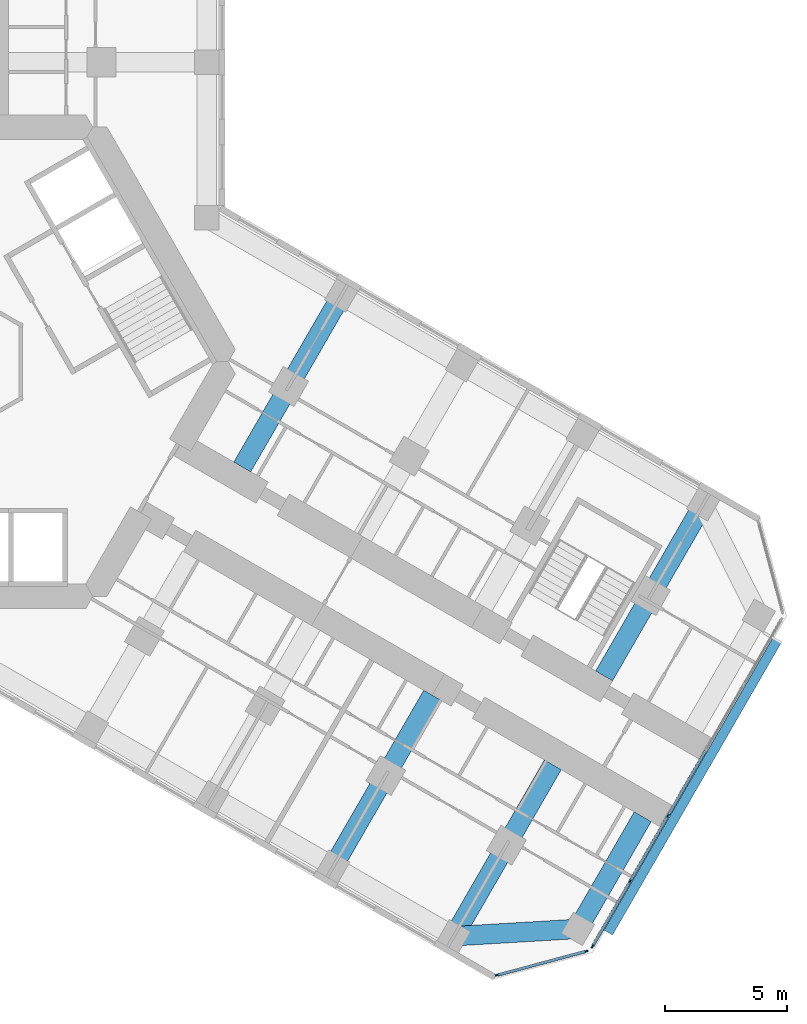
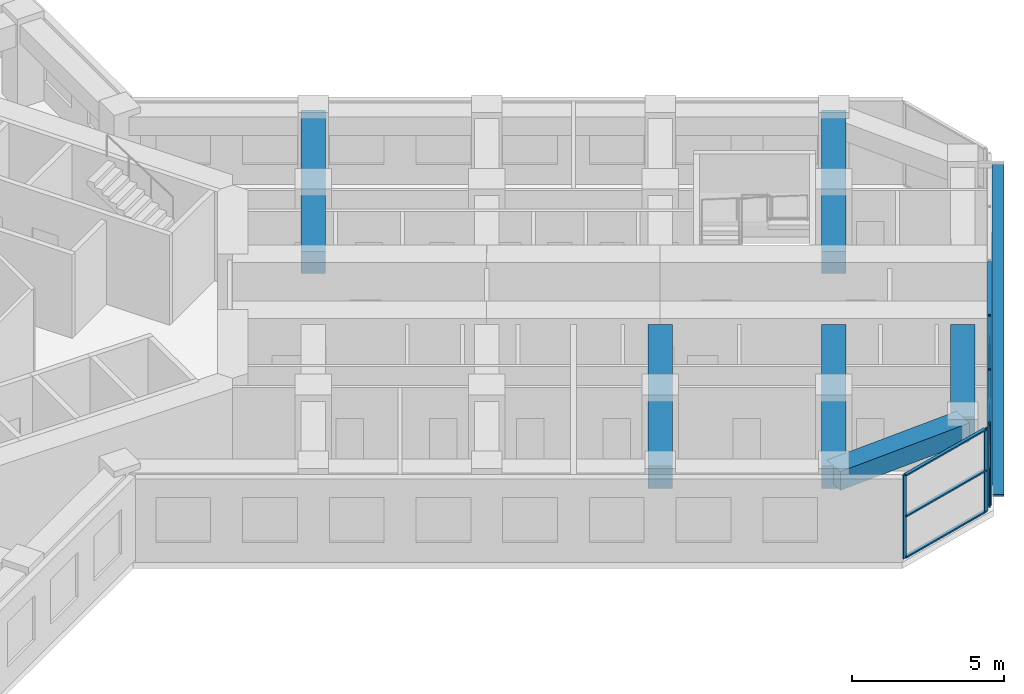
# One storey, part 5 of 21: 15 members, 6 beams, 2 elements without a shape of their own.
"""IFC4 building model written with IfcOpenShell, lengths in metres."""

from ifc_helpers import new_model, si_unit, direction, frame, origin, origin_2d, place, context, subcontext, project, spatial, rectangle, extrude, material, material_profile, profile_set, type_object, element, aggregate, save


model = new_model("IFC4")

# Units and contexts
model_context = context("Model", 3, precision=1e-05, world=origin(), true_north=direction((0.0, 1.0)))
body_context = subcontext(model_context, "Body", "Model", "MODEL_VIEW")
ifc_project = project(units=[si_unit("LENGTHUNIT", "METRE"), si_unit("AREAUNIT", "SQUARE_METRE"), si_unit("VOLUMEUNIT", "CUBIC_METRE"), si_unit("PLANEANGLEUNIT", "RADIAN"), si_unit("MASSUNIT", "GRAM", prefix="KILO")], contexts=[model_context])

# Site, building, storey
site_placement = place(None, origin())
site = spatial("IfcSite", under=ifc_project, at=site_placement, CompositionType="ELEMENT")
building_placement = place(site_placement, origin())
building = spatial("IfcBuilding", under=site, at=building_placement, Name="Kosmar Iwan School Tower", CompositionType="ELEMENT")
storey_placement = place(building_placement, frame((0.0, 0.0, 53.800048828125)))
storey = spatial("IfcBuildingStorey", under=building, at=storey_placement, Name="L12", CompositionType="ELEMENT", Elevation=53.800048828125)

# Member
ifc_material_1 = material(Name="Black anodised aluminium", Category="aluminium")
ifc_material_profile_1 = material_profile(ifc_material_1, rectangle(XDim=0.10009765625, YDim=0.39990234375, at=origin_2d()), Name="FIN 100x400")
ifc_profile_set_1 = profile_set([ifc_material_profile_1], Name="Black anodised aluminium")
member_type_1 = type_object("IfcMemberType", Name="Diagonal fin 100x400", PredefinedType="USERDEFINED", material=ifc_profile_set_1)
member_1_placement = place(storey_placement, frame((26.645263671875, -23.34912109375, -0.150146484375), z_axis=(0.483793446988, 0.837970316603, 0.25248692866), x_axis=(-0.126241714543, -0.218661104574, 0.96760030532)))
element("IfcMember", 1, at=member_1_placement, inside=storey, type_object=member_type_1, Name="Diagonal fin L12-F03", ObjectType="FIN", PredefinedType="USERDEFINED", context=body_context, shape_type="SweptSolid", body=[
    extrude(rectangle(XDim=0.10009765625, YDim=0.39990234375, at=origin_2d()), origin(), (0.0, 0.0, 1.0), 14.258544921875),
])

# Curtain wall, members
ifc_material_2 = material(Name="Dark glass in black aluminium frame", Category="aluminium")
curtain_wall_type_1 = type_object("IfcCurtainWallType", Name="Chamfer curtain wall dark glass", PredefinedType="USERDEFINED", material=ifc_material_2)
curtain_wall_1_placement = place(storey_placement, origin())
curtain_wall_1 = element("IfcCurtainWall", 2, at=curtain_wall_1_placement, inside=storey, type_object=curtain_wall_type_1, Name="Curtain wall L12-F02", ObjectType="FACETED CURTAIN WALL", PredefinedType="USERDEFINED")
ifc_material_3 = material(Name="Black anodised aluminium", Category="aluminium")
ifc_material_profile_2 = material_profile(ifc_material_3, rectangle(XDim=0.06005859375, YDim=0.159912109375, at=origin_2d()), Name="MULLION 60x160")
ifc_profile_set_2 = profile_set([ifc_material_profile_2], Name="Black anodised aluminium")
member_type_2 = type_object("IfcMemberType", Name="Mullion 60x160", PredefinedType="MULLION", material=ifc_profile_set_2)
member_2_placement = place(storey_placement, frame((22.0830078125, -25.102294921875, 0.0), z_axis=(0.0, 0.0, 1.0), x_axis=(-0.258818861462, 0.965925875495, 0.0)))
member_2 = element("IfcMember", 3, at=member_2_placement, type_object=member_type_2, Name="CW2 mullion 1", PredefinedType="MULLION", context=body_context, shape_type="SweptSolid", body=[
    extrude(rectangle(XDim=0.06005859375, YDim=0.159912109375, at=origin_2d()), origin(), (0.0, 0.0, 1.0), 3.349853515625),
])
member_3_placement = place(storey_placement, frame((25.733154296875, -24.124267578125, 0.0), z_axis=(0.0, 0.0, 1.0), x_axis=(-0.258818861462, 0.965925875495, 0.0)))
member_3 = element("IfcMember", 4, at=member_3_placement, type_object=member_type_2, Name="CW2 mullion 2", PredefinedType="MULLION", context=body_context, shape_type="SweptSolid", body=[
    extrude(rectangle(XDim=0.06005859375, YDim=0.159912109375, at=origin_2d()), origin(), (0.0, 0.0, 1.0), 3.349853515625),
])

ifc_material_4 = material(Name="Dark glass in black aluminium frame", Category="aluminium")
curtain_wall_type_2 = type_object("IfcCurtainWallType", Name="Tower curtain wall dark glass", PredefinedType="USERDEFINED", material=ifc_material_4)
curtain_wall_2_placement = place(storey_placement, origin())
curtain_wall_2 = element("IfcCurtainWall", 5, at=curtain_wall_2_placement, inside=storey, type_object=curtain_wall_type_2, Name="Curtain wall L12-F03", ObjectType="UNITISED CURTAIN WALL", PredefinedType="USERDEFINED")
member_4_placement = place(storey_placement, frame((25.9970703125, -23.921630859375, 0.0), z_axis=(0.0, 0.0, 1.0), x_axis=(-0.866025405329, 0.499999997325, 0.0)))
member_4 = element("IfcMember", 6, at=member_4_placement, type_object=member_type_2, Name="CW1 mullion 1", PredefinedType="MULLION", context=body_context, shape_type="SweptSolid", body=[
    extrude(rectangle(XDim=0.06005859375, YDim=0.159912109375, at=origin_2d()), origin(), (0.0, 0.0, 1.0), 3.349853515625),
])
member_5_placement = place(storey_placement, frame((27.53173828125, -21.263671875, 0.0), z_axis=(0.0, 0.0, 1.0), x_axis=(-0.866025405329, 0.499999997325, 0.0)))
member_5 = element("IfcMember", 7, at=member_5_placement, type_object=member_type_2, Name="CW1 mullion 2", PredefinedType="MULLION", context=body_context, shape_type="SweptSolid", body=[
    extrude(rectangle(XDim=0.06005859375, YDim=0.159912109375, at=origin_2d()), origin(), (0.0, 0.0, 1.0), 3.349853515625),
])
member_6_placement = place(storey_placement, frame((29.081298828125, -18.57958984375, 0.0), z_axis=(0.0, 0.0, 1.0), x_axis=(-0.866025405329, 0.499999997325, 0.0)))
member_6 = element("IfcMember", 8, at=member_6_placement, type_object=member_type_2, Name="CW1 mullion 3", PredefinedType="MULLION", context=body_context, shape_type="SweptSolid", body=[
    extrude(rectangle(XDim=0.06005859375, YDim=0.159912109375, at=origin_2d()), origin(), (0.0, 0.0, 1.0), 3.349853515625),
])

# Beams
ifc_material_5 = material(Name="Concrete C50/60", Category="concrete")
ifc_material_profile_3 = material_profile(ifc_material_5, rectangle(XDim=0.800048828125, YDim=0.75, at=origin_2d()), Name="RC 800x750")
ifc_profile_set_3 = profile_set([ifc_material_profile_3], Name="Concrete C50/60")
beam_type_1 = type_object("IfcBeamType", Name="RC tip beam 800x750", PredefinedType="BEAM", material=ifc_profile_set_3)
beam_1_placement = place(storey_placement, frame((20.31787109375, -23.508544921875, 2.974853515625), z_axis=(0.998260616478, 0.058955420358, 0.0), x_axis=(-0.058955420358, 0.998260616478, 0.0)))
element("IfcBeam", 9, at=beam_1_placement, inside=storey, type_object=beam_type_1, Name="Tip beam CR", PredefinedType="BEAM", context=body_context, shape_type="SweptSolid", body=[
    extrude(rectangle(XDim=0.800048828125, YDim=0.75, at=origin_2d()), origin(), (0.0, 0.0, 1.0), 5.08935546875),
])
beam_2_placement = place(storey_placement, frame((25.3984375, -23.20849609375, 2.974853515625), z_axis=(0.499993606316, 0.866029095148, 0.0), x_axis=(-0.866029095148, 0.499993606316, 0.0)))
element("IfcBeam", 10, at=beam_2_placement, inside=storey, type_object=beam_type_1, Name="Tip beam CR to corridor wall", PredefinedType="BEAM", context=body_context, shape_type="SweptSolid", body=[
    extrude(rectangle(XDim=0.800048828125, YDim=0.75, at=origin_2d()), origin(), (0.0, 0.0, 1.0), 5.2998046875),
])
ifc_material_6 = material(Name="Concrete C50/60", Category="concrete")
ifc_material_profile_4 = material_profile(ifc_material_6, rectangle(XDim=0.800048828125, YDim=0.89990234375, at=origin_2d()), Name="RC 800x900")
ifc_profile_set_4 = profile_set([ifc_material_profile_4], Name="Concrete C50/60")
beam_type_2 = type_object("IfcBeamType", Name="RC transverse beam 800x900", PredefinedType="BEAM", material=ifc_profile_set_4)
for number, where, z_axis, x_axis, name in (
    (11, (15.708740234375, 2.70849609375, 2.89990234375), (-0.499999880539, -0.866025472755, 0.0), (0.866025472755, -0.499999880539, 0.0), "Transverse beam CL1"),
    (12, (30.517822265625, -5.841552734375, 2.89990234375), (-0.499999880539, -0.866025472755, 0.0), (0.866025472755, -0.499999880539, 0.0), "Transverse beam CL4"),
    (13, (15.381591796875, -20.658447265625, 2.89990234375), (0.499977274689, 0.866038523851, 0.0), (-0.866038523851, 0.499977274689, 0.0), "Transverse beam CR3"),
    (14, (20.31787109375, -23.508544921875, 2.89990234375), (0.499999880539, 0.866025472755, 0.0), (-0.866025472755, 0.499999880539, 0.0), "Transverse beam CR4"),
):
    element("IfcBeam", number, at=place(storey_placement, frame(where, z_axis=z_axis, x_axis=x_axis)), inside=storey, type_object=beam_type_2, Name=name, PredefinedType="BEAM", context=body_context, shape_type="SweptSolid", body=[
        extrude(rectangle(XDim=0.800048828125, YDim=0.89990234375, at=origin_2d()), origin(), (0.0, 0.0, 1.0), 8.10009765625),
    ])

# Member
ifc_material_7 = material(Name="Black anodised aluminium", Category="aluminium")
ifc_material_profile_5 = material_profile(ifc_material_7, rectangle(XDim=0.1201171875, YDim=0.06005859375, at=origin_2d()), Name="TRANSOM 60x120")
ifc_profile_set_5 = profile_set([ifc_material_profile_5], Name="Black anodised aluminium")
member_type_3 = type_object("IfcMemberType", Name="Transom 60x120", PredefinedType="USERDEFINED", material=ifc_profile_set_5)
member_7_placement = place(storey_placement, frame((22.11181640625, -25.094482421875, 0.030029296875), z_axis=(0.965923731726, 0.258826861991, 0.0), x_axis=(-0.258826861991, 0.965923731726, 0.0)))
member_7 = element("IfcMember", 15, at=member_7_placement, type_object=member_type_3, Name="CW2 transom 1.1", ObjectType="TRANSOM", PredefinedType="USERDEFINED", context=body_context, shape_type="SweptSolid", body=[
    extrude(rectangle(XDim=0.1201171875, YDim=0.06005859375, at=origin_2d()), origin(), (0.0, 0.0, 1.0), 3.71923828125),
])

member_8_placement = place(storey_placement, frame((22.11181640625, -25.094482421875, 1.675048828125), z_axis=(0.965923731726, 0.258826861991, 0.0), x_axis=(-0.258826861991, 0.965923731726, 0.0)))
member_8 = element("IfcMember", 16, at=member_8_placement, type_object=member_type_3, Name="CW2 transom 1.2", ObjectType="TRANSOM", PredefinedType="USERDEFINED", context=body_context, shape_type="SweptSolid", body=[
    extrude(rectangle(XDim=0.1201171875, YDim=0.06005859375, at=origin_2d()), origin(), (0.0, 0.0, 1.0), 3.71923828125),
])

member_9_placement = place(storey_placement, frame((22.11181640625, -25.094482421875, 3.320068359375), z_axis=(0.965923731726, 0.258826861991, 0.0), x_axis=(-0.258826861991, 0.965923731726, 0.0)))
member_9 = element("IfcMember", 17, at=member_9_placement, type_object=member_type_3, Name="CW2 transom 1.3", ObjectType="TRANSOM", PredefinedType="USERDEFINED", context=body_context, shape_type="SweptSolid", body=[
    extrude(rectangle(XDim=0.1201171875, YDim=0.06005859375, at=origin_2d()), origin(), (0.0, 0.0, 1.0), 3.71923828125),
])

aggregate(curtain_wall_1, [member_2, member_3, member_7, member_8, member_9])

member_10_placement = place(storey_placement, frame((26.01220703125, -23.895751953125, 0.030029296875), z_axis=(0.499986971506, 0.866032925658, 0.0), x_axis=(-0.866032925658, 0.499986971506, 0.0)))
member_10 = element("IfcMember", 18, at=member_10_placement, type_object=member_type_3, Name="CW1 transom 1.1", ObjectType="TRANSOM", PredefinedType="USERDEFINED", context=body_context, shape_type="SweptSolid", body=[
    extrude(rectangle(XDim=0.1201171875, YDim=0.06005859375, at=origin_2d()), origin(), (0.0, 0.0, 1.0), 3.00927734375),
])

member_11_placement = place(storey_placement, frame((26.01220703125, -23.895751953125, 3.320068359375), z_axis=(0.499986971506, 0.866032925658, 0.0), x_axis=(-0.866032925658, 0.499986971506, 0.0)))
member_11 = element("IfcMember", 19, at=member_11_placement, type_object=member_type_3, Name="CW1 transom 1.2", ObjectType="TRANSOM", PredefinedType="USERDEFINED", context=body_context, shape_type="SweptSolid", body=[
    extrude(rectangle(XDim=0.1201171875, YDim=0.06005859375, at=origin_2d()), origin(), (0.0, 0.0, 1.0), 3.00927734375),
])

member_12_placement = place(storey_placement, frame((27.546875, -21.237548828125, 0.030029296875), z_axis=(0.499975102327, 0.866039777986, 0.0), x_axis=(-0.866039777986, 0.499975102327, 0.0)))
member_12 = element("IfcMember", 20, at=member_12_placement, type_object=member_type_3, Name="CW1 transom 2.1", ObjectType="TRANSOM", PredefinedType="USERDEFINED", context=body_context, shape_type="SweptSolid", body=[
    extrude(rectangle(XDim=0.1201171875, YDim=0.06005859375, at=origin_2d()), origin(), (0.0, 0.0, 1.0), 3.039306640625),
])

member_13_placement = place(storey_placement, frame((27.546875, -21.237548828125, 3.320068359375), z_axis=(0.499975102327, 0.866039777986, 0.0), x_axis=(-0.866039777986, 0.499975102327, 0.0)))
member_13 = element("IfcMember", 21, at=member_13_placement, type_object=member_type_3, Name="CW1 transom 2.2", ObjectType="TRANSOM", PredefinedType="USERDEFINED", context=body_context, shape_type="SweptSolid", body=[
    extrude(rectangle(XDim=0.1201171875, YDim=0.06005859375, at=origin_2d()), origin(), (0.0, 0.0, 1.0), 3.039306640625),
])

member_14_placement = place(storey_placement, frame((29.096435546875, -18.553466796875, 0.030029296875), z_axis=(0.499975102327, 0.866039777986, 0.0), x_axis=(-0.866039777986, 0.499975102327, 0.0)))
member_14 = element("IfcMember", 22, at=member_14_placement, type_object=member_type_3, Name="CW1 transom 3.1", ObjectType="TRANSOM", PredefinedType="USERDEFINED", context=body_context, shape_type="SweptSolid", body=[
    extrude(rectangle(XDim=0.1201171875, YDim=0.06005859375, at=origin_2d()), origin(), (0.0, 0.0, 1.0), 3.039306640625),
])

member_15_placement = place(storey_placement, frame((29.096435546875, -18.553466796875, 3.320068359375), z_axis=(0.499975102327, 0.866039777986, 0.0), x_axis=(-0.866039777986, 0.499975102327, 0.0)))
member_15 = element("IfcMember", 23, at=member_15_placement, type_object=member_type_3, Name="CW1 transom 3.2", ObjectType="TRANSOM", PredefinedType="USERDEFINED", context=body_context, shape_type="SweptSolid", body=[
    extrude(rectangle(XDim=0.1201171875, YDim=0.06005859375, at=origin_2d()), origin(), (0.0, 0.0, 1.0), 3.039306640625),
])

aggregate(curtain_wall_2, [member_4, member_5, member_6, member_10, member_11, member_12, member_13, member_14, member_15])

save(model, "model.ifc")
